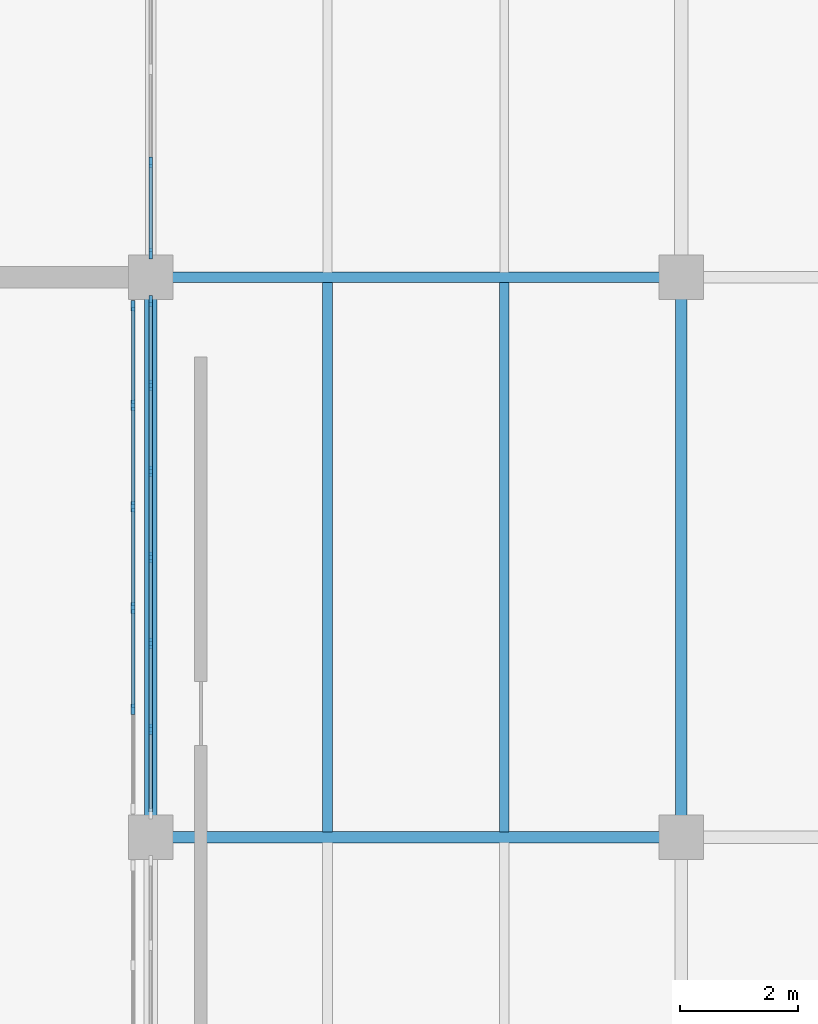
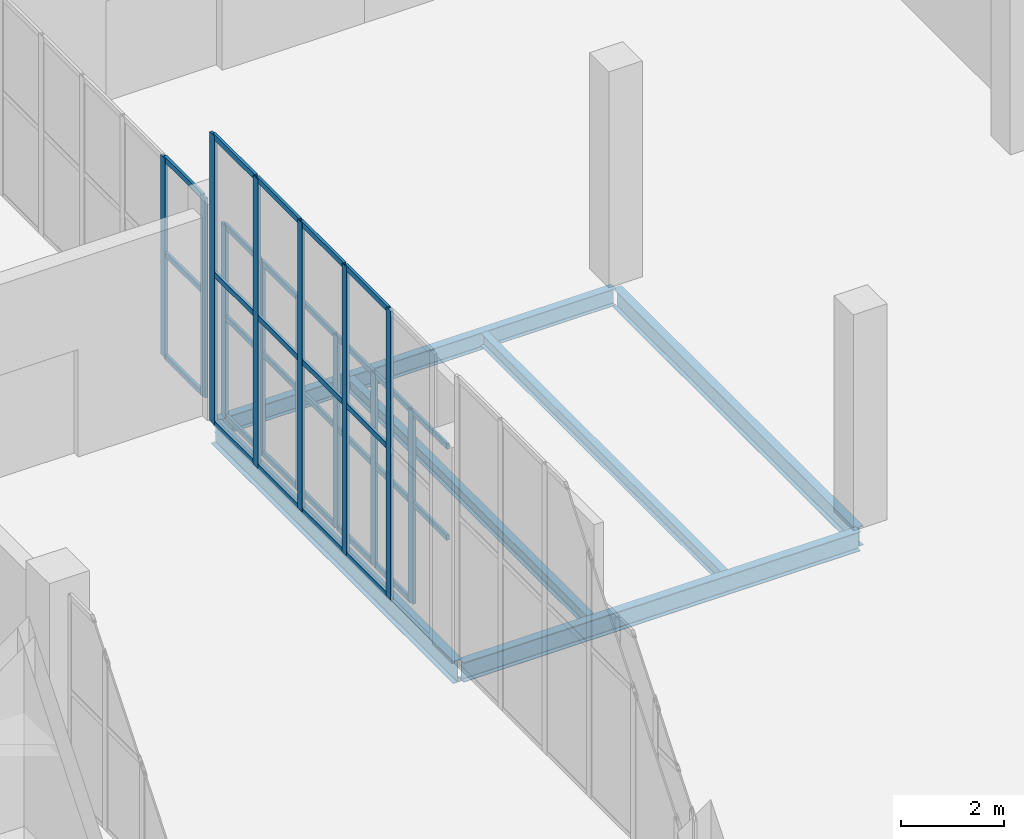
# One storey, part 54 of 103: 45 members, 6 beams, 3 elements without a shape of their own.
"""IFC4 building model written with IfcOpenShell, lengths in metres."""

from ifc_helpers import new_model, si_unit, direction, frame, origin, origin_2d, place, context, subcontext, project, spatial, rectangle, i_section, extrude, material, layer, layer_set, material_profile, profile_set, type_object, element, aggregate, save


model = new_model("IFC4")

# Units and contexts
model_context = context("Model", 3, precision=1e-05, world=origin(), true_north=direction((0.0, 1.0)))
body_context = subcontext(model_context, "Body", "Model", "MODEL_VIEW")
ifc_project = project(units=[si_unit("LENGTHUNIT", "METRE"), si_unit("AREAUNIT", "SQUARE_METRE"), si_unit("VOLUMEUNIT", "CUBIC_METRE"), si_unit("PLANEANGLEUNIT", "RADIAN"), si_unit("MASSUNIT", "GRAM", prefix="KILO")], contexts=[model_context])

# Site, building, storey
site_placement = place(None, origin())
site = spatial("IfcSite", under=ifc_project, at=site_placement, CompositionType="ELEMENT")
building_placement = place(site_placement, origin())
building = spatial("IfcBuilding", under=site, at=building_placement, Name="Marnock Terrace Opera House", CompositionType="ELEMENT")
storey_placement = place(building_placement, origin())
storey = spatial("IfcBuildingStorey", under=building, at=storey_placement, Name="L00", CompositionType="ELEMENT", Elevation=0.0)

# Beams
ifc_material_1 = material(Name="Steel Grade 350 (AS/NZS 3679.1)", Category="steel")
ifc_material_profile_1 = material_profile(ifc_material_1, i_section(OverallWidth=0.177978515625, OverallDepth=0.402587890625, WebThickness=0.007568359375, FlangeThickness=0.010986328125, FilletRadius=0.011474609375, at=origin_2d()))
ifc_profile_set_1 = profile_set([ifc_material_profile_1], Name="Steel Grade 350 (AS/NZS 3679.1)")
beam_type_1 = type_object("IfcBeamType", Name="BM-GIRD-410", PredefinedType="BEAM", material=ifc_profile_set_1)
beam_1_placement = place(storey_placement, frame((118.050048828125, 94.0, -0.501220703125), z_axis=(1.0, 0.0, 0.0), x_axis=(0.0, 1.0, 0.0)))
element("IfcBeam", 1, at=beam_1_placement, inside=storey, type_object=beam_type_1, Name="L00 girder (118.0..127.0, Y=94.0)", PredefinedType="BEAM", context=body_context, shape_type="SweptSolid", body=[
    extrude(i_section(OverallWidth=0.177978515625, OverallDepth=0.402587890625, WebThickness=0.007568359375, FlangeThickness=0.010986328125, FilletRadius=0.011474609375, at=origin_2d()), origin(), (0.0, 0.0, 1.0), 8.89990234375),
])
ifc_material_profile_2 = material_profile(ifc_material_1, i_section(OverallWidth=0.19091796875, OverallDepth=0.46044921875, WebThickness=0.010009765625, FlangeThickness=0.01611328125, FilletRadius=0.011474609375, at=origin_2d()))
ifc_profile_set_2 = profile_set([ifc_material_profile_2], Name="Steel Grade 350 (AS/NZS 3679.1)")
beam_type_2 = type_object("IfcBeamType", Name="BM-GIRD-460A", PredefinedType="BEAM", material=ifc_profile_set_2)
beam_2_placement = place(storey_placement, frame((118.050048828125, 84.5, -0.5302734375), z_axis=(1.0, 0.0, 0.0), x_axis=(0.0, 1.0, 0.0)))
element("IfcBeam", 2, at=beam_2_placement, inside=storey, type_object=beam_type_2, Name="L00 girder (118.0..127.0, Y=84.5)", PredefinedType="BEAM", context=body_context, shape_type="SweptSolid", body=[
    extrude(i_section(OverallWidth=0.19091796875, OverallDepth=0.46044921875, WebThickness=0.010009765625, FlangeThickness=0.01611328125, FilletRadius=0.011474609375, at=origin_2d()), origin(), (0.0, 0.0, 1.0), 8.89990234375),
])
ifc_material_profile_3 = material_profile(ifc_material_1, i_section(OverallWidth=0.18994140625, OverallDepth=0.45751953125, WebThickness=0.009033203125, FlangeThickness=0.014404296875, FilletRadius=0.011474609375, at=origin_2d()))
ifc_profile_set_3 = profile_set([ifc_material_profile_3], Name="Steel Grade 350 (AS/NZS 3679.1)")
beam_type_3 = type_object("IfcBeamType", Name="BM-GIRD-460B", PredefinedType="BEAM", material=ifc_profile_set_3)
beam_3_placement = place(storey_placement, frame((127.0, 84.550048828125, -0.52880859375), z_axis=(0.0, 1.0, 0.0), x_axis=(-1.0, 0.0, 0.0)))
element("IfcBeam", 3, at=beam_3_placement, inside=storey, type_object=beam_type_3, Name="L00 girder (X=127.0, 84.5..94.0)", PredefinedType="BEAM", context=body_context, shape_type="SweptSolid", body=[
    extrude(i_section(OverallWidth=0.18994140625, OverallDepth=0.45751953125, WebThickness=0.009033203125, FlangeThickness=0.014404296875, FilletRadius=0.011474609375, at=origin_2d()), origin(), (0.0, 0.0, 1.0), 9.39990234375),
])
ifc_material_profile_4 = material_profile(ifc_material_1, i_section(OverallWidth=0.208984375, OverallDepth=0.528076171875, WebThickness=0.009521484375, FlangeThickness=0.01318359375, FilletRadius=0.013916015625, at=origin_2d()))
ifc_profile_set_4 = profile_set([ifc_material_profile_4], Name="Steel Grade 350 (AS/NZS 3679.1)")
beam_type_4 = type_object("IfcBeamType", Name="BM-GIRD-530B", PredefinedType="BEAM", material=ifc_profile_set_4)
beam_4_placement = place(storey_placement, frame((118.0, 84.550048828125, -0.56396484375), z_axis=(0.0, 1.0, 0.0), x_axis=(-1.0, 0.0, 0.0)))
element("IfcBeam", 4, at=beam_4_placement, inside=storey, type_object=beam_type_4, Name="L00 girder (X=118.0, 84.5..94.0)", PredefinedType="BEAM", context=body_context, shape_type="SweptSolid", body=[
    extrude(i_section(OverallWidth=0.208984375, OverallDepth=0.528076171875, WebThickness=0.009521484375, FlangeThickness=0.01318359375, FilletRadius=0.013916015625, at=origin_2d()), origin(), (0.0, 0.0, 1.0), 9.39990234375),
])
ifc_material_profile_5 = material_profile(ifc_material_1, i_section(OverallWidth=0.1650390625, OverallDepth=0.3037109375, WebThickness=0.006103515625, FlangeThickness=0.01025390625, FilletRadius=0.011474609375, at=origin_2d()))
ifc_profile_set_5 = profile_set([ifc_material_profile_5], Name="Steel Grade 350 (AS/NZS 3679.1)")
beam_type_5 = type_object("IfcBeamType", Name="BM-JOIST-310B", PredefinedType="JOIST", material=ifc_profile_set_5)
for number, where, z_axis, x_axis, name in (
    (5, (121.0, 84.590576171875, -0.451904296875), (0.0, 1.0, 0.0), (-1.0, 0.0, 0.0), "L00 secondary joist 13.10.1"),
    (6, (124.0, 84.590576171875, -0.451904296875), (0.0, 1.0, 0.0), (-1.0, 0.0, 0.0), "L00 secondary joist 13.10.2"),
):
    element("IfcBeam", number, at=place(storey_placement, frame(where, z_axis=z_axis, x_axis=x_axis)), inside=storey, type_object=beam_type_5, Name=name, PredefinedType="JOIST", context=body_context, shape_type="SweptSolid", body=[
        extrude(i_section(OverallWidth=0.1650390625, OverallDepth=0.3037109375, WebThickness=0.006103515625, FlangeThickness=0.01025390625, FilletRadius=0.011474609375, at=origin_2d()), origin(), (0.0, 0.0, 1.0), 9.325439453125),
    ])

# Curtain wall, members
ifc_material_2 = material(Name="Anodised architectural bronze aluminium framing", Category="aluminium")
ifc_layer_1 = layer(ifc_material_2, 0.159912109375)
ifc_layer_set_1 = layer_set([ifc_layer_1], Name="Anodised architectural bronze aluminium framing")
curtain_wall_type_1 = type_object("IfcCurtainWallType", Name="CW-FOYER-95x51", PredefinedType="NOTDEFINED", material=ifc_layer_set_1)
curtain_wall_1_placement = place(storey_placement, origin())
curtain_wall_1 = element("IfcCurtainWall", 7, at=curtain_wall_1_placement, inside=storey, type_object=curtain_wall_type_1, Name="L00 glazed Beaux-Arts colonnade curtain wall CW-V5-L00-W7", PredefinedType="NOTDEFINED")
ifc_material_profile_6 = material_profile(ifc_material_2, rectangle(XDim=0.06494140625, YDim=0.179931640625, at=origin_2d()))
ifc_profile_set_6 = profile_set([ifc_material_profile_6], Name="Anodised architectural bronze aluminium framing")
member_type_1 = type_object("IfcMemberType", Name="CWM-65x180", PredefinedType="MULLION", material=ifc_profile_set_6)
member_1_placement = place(storey_placement, frame((118.0, 86.33056640625, 0.0), z_axis=(0.0, 0.0, 1.0), x_axis=(-1.0, 0.0, 0.0)))
member_1 = element("IfcMember", 8, at=member_1_placement, type_object=member_type_1, Name="CW-24 mullion 2", PredefinedType="MULLION", context=body_context, shape_type="SweptSolid", body=[
    extrude(rectangle(XDim=0.06494140625, YDim=0.179931640625, at=origin_2d()), origin(), (0.0, 0.0, 1.0), 4.56201171875),
])
member_2_placement = place(storey_placement, frame((118.0, 87.790283203125, 0.0), z_axis=(0.0, 0.0, 1.0), x_axis=(-1.0, 0.0, 0.0)))
member_2 = element("IfcMember", 9, at=member_2_placement, type_object=member_type_1, Name="CW-24 mullion 3", PredefinedType="MULLION", context=body_context, shape_type="SweptSolid", body=[
    extrude(rectangle(XDim=0.06494140625, YDim=0.179931640625, at=origin_2d()), origin(), (0.0, 0.0, 1.0), 4.56201171875),
])
member_3_placement = place(storey_placement, frame((118.0, 89.25, 0.0), z_axis=(0.0, 0.0, 1.0), x_axis=(-1.0, 0.0, 0.0)))
member_3 = element("IfcMember", 10, at=member_3_placement, type_object=member_type_1, Name="CW-24 mullion 4", PredefinedType="MULLION", context=body_context, shape_type="SweptSolid", body=[
    extrude(rectangle(XDim=0.06494140625, YDim=0.179931640625, at=origin_2d()), origin(), (0.0, 0.0, 1.0), 4.56201171875),
])
member_4_placement = place(storey_placement, frame((118.0, 90.709716796875, 0.0), z_axis=(0.0, 0.0, 1.0), x_axis=(-1.0, 0.0, 0.0)))
member_4 = element("IfcMember", 11, at=member_4_placement, type_object=member_type_1, Name="CW-24 mullion 5", PredefinedType="MULLION", context=body_context, shape_type="SweptSolid", body=[
    extrude(rectangle(XDim=0.06494140625, YDim=0.179931640625, at=origin_2d()), origin(), (0.0, 0.0, 1.0), 4.56201171875),
])
member_5_placement = place(storey_placement, frame((118.0, 92.16943359375, 0.0), z_axis=(0.0, 0.0, 1.0), x_axis=(-1.0, 0.0, 0.0)))
member_5 = element("IfcMember", 12, at=member_5_placement, type_object=member_type_1, Name="CW-24 mullion 6", PredefinedType="MULLION", context=body_context, shape_type="SweptSolid", body=[
    extrude(rectangle(XDim=0.06494140625, YDim=0.179931640625, at=origin_2d()), origin(), (0.0, 0.0, 1.0), 4.56201171875),
])
member_6_placement = place(storey_placement, frame((118.0, 93.59912109375, 0.0), z_axis=(0.0, 0.0, 1.0), x_axis=(-1.0, 0.0, 0.0)))
member_6 = element("IfcMember", 13, at=member_6_placement, type_object=member_type_1, Name="CW-24 mullion 7", PredefinedType="MULLION", context=body_context, shape_type="SweptSolid", body=[
    extrude(rectangle(XDim=0.06494140625, YDim=0.179931640625, at=origin_2d()), origin(), (0.0, 0.0, 1.0), 4.56201171875),
])

curtain_wall_2_placement = place(storey_placement, origin())
curtain_wall_2 = element("IfcCurtainWall", 14, at=curtain_wall_2_placement, inside=storey, type_object=curtain_wall_type_1, Name="L00 glazed Beaux-Arts colonnade curtain wall CW-V5-L00-W8", PredefinedType="NOTDEFINED")
member_7_placement = place(storey_placement, frame((118.0, 94.40087890625, 0.0), z_axis=(0.0, 0.0, 1.0), x_axis=(-1.0, 0.0, 0.0)))
member_7 = element("IfcMember", 15, at=member_7_placement, type_object=member_type_1, Name="CW-24 mullion 1", PredefinedType="MULLION", context=body_context, shape_type="SweptSolid", body=[
    extrude(rectangle(XDim=0.06494140625, YDim=0.179931640625, at=origin_2d()), origin(), (0.0, 0.0, 1.0), 4.734375),
])
member_8_placement = place(storey_placement, frame((118.0, 95.94921875, 0.0), z_axis=(0.0, 0.0, 1.0), x_axis=(-1.0, 0.0, 0.0)))
member_8 = element("IfcMember", 16, at=member_8_placement, type_object=member_type_1, Name="CW-24 mullion 2", PredefinedType="MULLION", context=body_context, shape_type="SweptSolid", body=[
    extrude(rectangle(XDim=0.06494140625, YDim=0.179931640625, at=origin_2d()), origin(), (0.0, 0.0, 1.0), 4.734375),
])

ifc_layer_2 = layer(ifc_material_2, 0.159912109375)
ifc_layer_set_2 = layer_set([ifc_layer_2], Name="Anodised architectural bronze aluminium framing")
curtain_wall_type_2 = type_object("IfcCurtainWallType", Name="CW-PASSAGE-81x68", PredefinedType="NOTDEFINED", material=ifc_layer_set_2)
curtain_wall_3_placement = place(storey_placement, origin())
curtain_wall_3 = element("IfcCurtainWall", 17, at=curtain_wall_3_placement, inside=storey, type_object=curtain_wall_type_2, Name="L00 glazed Beaux-Arts colonnade curtain wall CW-PASSAGE-L00-10", PredefinedType="NOTDEFINED")
member_9_placement = place(storey_placement, frame((117.699951171875, 86.669921875, 0.0), z_axis=(0.0, 0.0, 1.0), x_axis=(-1.0, 0.0, 0.0)))
member_9 = element("IfcMember", 18, at=member_9_placement, type_object=member_type_1, Name="CW-65 mullion 2", PredefinedType="MULLION", context=body_context, shape_type="SweptSolid", body=[
    extrude(rectangle(XDim=0.06494140625, YDim=0.179931640625, at=origin_2d()), origin(), (0.0, 0.0, 1.0), 6.85009765625),
])
member_10_placement = place(storey_placement, frame((117.699951171875, 88.389892578125, 0.0), z_axis=(0.0, 0.0, 1.0), x_axis=(-1.0, 0.0, 0.0)))
member_10 = element("IfcMember", 19, at=member_10_placement, type_object=member_type_1, Name="CW-65 mullion 3", PredefinedType="MULLION", context=body_context, shape_type="SweptSolid", body=[
    extrude(rectangle(XDim=0.06494140625, YDim=0.179931640625, at=origin_2d()), origin(), (0.0, 0.0, 1.0), 6.85009765625),
])
member_11_placement = place(storey_placement, frame((117.699951171875, 90.110107421875, 0.0), z_axis=(0.0, 0.0, 1.0), x_axis=(-1.0, 0.0, 0.0)))
member_11 = element("IfcMember", 20, at=member_11_placement, type_object=member_type_1, Name="CW-65 mullion 4", PredefinedType="MULLION", context=body_context, shape_type="SweptSolid", body=[
    extrude(rectangle(XDim=0.06494140625, YDim=0.179931640625, at=origin_2d()), origin(), (0.0, 0.0, 1.0), 6.85009765625),
])
member_12_placement = place(storey_placement, frame((117.699951171875, 91.830078125, 0.0), z_axis=(0.0, 0.0, 1.0), x_axis=(-1.0, 0.0, 0.0)))
member_12 = element("IfcMember", 21, at=member_12_placement, type_object=member_type_1, Name="CW-65 mullion 5", PredefinedType="MULLION", context=body_context, shape_type="SweptSolid", body=[
    extrude(rectangle(XDim=0.06494140625, YDim=0.179931640625, at=origin_2d()), origin(), (0.0, 0.0, 1.0), 6.85009765625),
])
member_13_placement = place(storey_placement, frame((117.699951171875, 93.52001953125, 0.0), z_axis=(0.0, 0.0, 1.0), x_axis=(-1.0, 0.0, 0.0)))
member_13 = element("IfcMember", 22, at=member_13_placement, type_object=member_type_1, Name="CW-65 mullion 6", PredefinedType="MULLION", context=body_context, shape_type="SweptSolid", body=[
    extrude(rectangle(XDim=0.06494140625, YDim=0.179931640625, at=origin_2d()), origin(), (0.0, 0.0, 1.0), 6.85009765625),
])

# Member
ifc_material_profile_7 = material_profile(ifc_material_2, rectangle(XDim=0.06005859375, YDim=0.1298828125, at=origin_2d()))
ifc_profile_set_7 = profile_set([ifc_material_profile_7], Name="Anodised architectural bronze aluminium framing")
member_type_2 = type_object("IfcMemberType", Name="CWT-60x130", PredefinedType="USERDEFINED", material=ifc_profile_set_7)
member_14_placement = place(storey_placement, frame((118.0, 84.930908203125, 2.372314453125), z_axis=(0.0, 1.0, 0.0), x_axis=(-1.0, 0.0, 0.0)))
member_14 = element("IfcMember", 23, at=member_14_placement, type_object=member_type_2, Name="CW-24 transom 1.2", ObjectType="TRANSOM", PredefinedType="USERDEFINED", context=body_context, shape_type="SweptSolid", body=[
    extrude(rectangle(XDim=0.06005859375, YDim=0.1298828125, at=origin_2d()), origin(), (0.0, 0.0, 1.0), 1.369873046875),
])

member_15_placement = place(storey_placement, frame((118.0, 84.930908203125, 4.531982421875), z_axis=(0.0, 1.0, 0.0), x_axis=(-1.0, 0.0, 0.0)))
member_15 = element("IfcMember", 24, at=member_15_placement, type_object=member_type_2, Name="CW-24 transom 1.3", ObjectType="TRANSOM", PredefinedType="USERDEFINED", context=body_context, shape_type="SweptSolid", body=[
    extrude(rectangle(XDim=0.06005859375, YDim=0.1298828125, at=origin_2d()), origin(), (0.0, 0.0, 1.0), 1.369873046875),
])

member_16_placement = place(storey_placement, frame((118.0, 86.360595703125, 0.030029296875), z_axis=(0.0, 1.0, 0.0), x_axis=(-1.0, 0.0, 0.0)))
member_16 = element("IfcMember", 25, at=member_16_placement, type_object=member_type_2, Name="CW-24 transom 2.1", ObjectType="TRANSOM", PredefinedType="USERDEFINED", context=body_context, shape_type="SweptSolid", body=[
    extrude(rectangle(XDim=0.06005859375, YDim=0.1298828125, at=origin_2d()), origin(), (0.0, 0.0, 1.0), 1.399658203125),
])

member_17_placement = place(storey_placement, frame((118.0, 86.360595703125, 2.372314453125), z_axis=(0.0, 1.0, 0.0), x_axis=(-1.0, 0.0, 0.0)))
member_17 = element("IfcMember", 26, at=member_17_placement, type_object=member_type_2, Name="CW-24 transom 2.2", ObjectType="TRANSOM", PredefinedType="USERDEFINED", context=body_context, shape_type="SweptSolid", body=[
    extrude(rectangle(XDim=0.06005859375, YDim=0.1298828125, at=origin_2d()), origin(), (0.0, 0.0, 1.0), 1.399658203125),
])

member_18_placement = place(storey_placement, frame((118.0, 86.360595703125, 4.531982421875), z_axis=(0.0, 1.0, 0.0), x_axis=(-1.0, 0.0, 0.0)))
member_18 = element("IfcMember", 27, at=member_18_placement, type_object=member_type_2, Name="CW-24 transom 2.3", ObjectType="TRANSOM", PredefinedType="USERDEFINED", context=body_context, shape_type="SweptSolid", body=[
    extrude(rectangle(XDim=0.06005859375, YDim=0.1298828125, at=origin_2d()), origin(), (0.0, 0.0, 1.0), 1.399658203125),
])

member_19_placement = place(storey_placement, frame((118.0, 87.8203125, 0.030029296875), z_axis=(0.0, 1.0, 0.0), x_axis=(-1.0, 0.0, 0.0)))
member_19 = element("IfcMember", 28, at=member_19_placement, type_object=member_type_2, Name="CW-24 transom 3.1", ObjectType="TRANSOM", PredefinedType="USERDEFINED", context=body_context, shape_type="SweptSolid", body=[
    extrude(rectangle(XDim=0.06005859375, YDim=0.1298828125, at=origin_2d()), origin(), (0.0, 0.0, 1.0), 1.399658203125),
])

member_20_placement = place(storey_placement, frame((118.0, 87.8203125, 2.372314453125), z_axis=(0.0, 1.0, 0.0), x_axis=(-1.0, 0.0, 0.0)))
member_20 = element("IfcMember", 29, at=member_20_placement, type_object=member_type_2, Name="CW-24 transom 3.2", ObjectType="TRANSOM", PredefinedType="USERDEFINED", context=body_context, shape_type="SweptSolid", body=[
    extrude(rectangle(XDim=0.06005859375, YDim=0.1298828125, at=origin_2d()), origin(), (0.0, 0.0, 1.0), 1.399658203125),
])

member_21_placement = place(storey_placement, frame((118.0, 87.8203125, 4.531982421875), z_axis=(0.0, 1.0, 0.0), x_axis=(-1.0, 0.0, 0.0)))
member_21 = element("IfcMember", 30, at=member_21_placement, type_object=member_type_2, Name="CW-24 transom 3.3", ObjectType="TRANSOM", PredefinedType="USERDEFINED", context=body_context, shape_type="SweptSolid", body=[
    extrude(rectangle(XDim=0.06005859375, YDim=0.1298828125, at=origin_2d()), origin(), (0.0, 0.0, 1.0), 1.399658203125),
])

member_22_placement = place(storey_placement, frame((118.0, 89.280029296875, 0.030029296875), z_axis=(0.0, 1.0, 0.0), x_axis=(-1.0, 0.0, 0.0)))
member_22 = element("IfcMember", 31, at=member_22_placement, type_object=member_type_2, Name="CW-24 transom 4.1", ObjectType="TRANSOM", PredefinedType="USERDEFINED", context=body_context, shape_type="SweptSolid", body=[
    extrude(rectangle(XDim=0.06005859375, YDim=0.1298828125, at=origin_2d()), origin(), (0.0, 0.0, 1.0), 1.399658203125),
])

member_23_placement = place(storey_placement, frame((118.0, 89.280029296875, 2.372314453125), z_axis=(0.0, 1.0, 0.0), x_axis=(-1.0, 0.0, 0.0)))
member_23 = element("IfcMember", 32, at=member_23_placement, type_object=member_type_2, Name="CW-24 transom 4.2", ObjectType="TRANSOM", PredefinedType="USERDEFINED", context=body_context, shape_type="SweptSolid", body=[
    extrude(rectangle(XDim=0.06005859375, YDim=0.1298828125, at=origin_2d()), origin(), (0.0, 0.0, 1.0), 1.399658203125),
])

member_24_placement = place(storey_placement, frame((118.0, 89.280029296875, 4.531982421875), z_axis=(0.0, 1.0, 0.0), x_axis=(-1.0, 0.0, 0.0)))
member_24 = element("IfcMember", 33, at=member_24_placement, type_object=member_type_2, Name="CW-24 transom 4.3", ObjectType="TRANSOM", PredefinedType="USERDEFINED", context=body_context, shape_type="SweptSolid", body=[
    extrude(rectangle(XDim=0.06005859375, YDim=0.1298828125, at=origin_2d()), origin(), (0.0, 0.0, 1.0), 1.399658203125),
])

member_25_placement = place(storey_placement, frame((118.0, 90.73974609375, 0.030029296875), z_axis=(0.0, 1.0, 0.0), x_axis=(-1.0, 0.0, 0.0)))
member_25 = element("IfcMember", 34, at=member_25_placement, type_object=member_type_2, Name="CW-24 transom 5.1", ObjectType="TRANSOM", PredefinedType="USERDEFINED", context=body_context, shape_type="SweptSolid", body=[
    extrude(rectangle(XDim=0.06005859375, YDim=0.1298828125, at=origin_2d()), origin(), (0.0, 0.0, 1.0), 1.399658203125),
])

member_26_placement = place(storey_placement, frame((118.0, 90.73974609375, 2.372314453125), z_axis=(0.0, 1.0, 0.0), x_axis=(-1.0, 0.0, 0.0)))
member_26 = element("IfcMember", 35, at=member_26_placement, type_object=member_type_2, Name="CW-24 transom 5.2", ObjectType="TRANSOM", PredefinedType="USERDEFINED", context=body_context, shape_type="SweptSolid", body=[
    extrude(rectangle(XDim=0.06005859375, YDim=0.1298828125, at=origin_2d()), origin(), (0.0, 0.0, 1.0), 1.399658203125),
])

member_27_placement = place(storey_placement, frame((118.0, 90.73974609375, 4.531982421875), z_axis=(0.0, 1.0, 0.0), x_axis=(-1.0, 0.0, 0.0)))
member_27 = element("IfcMember", 36, at=member_27_placement, type_object=member_type_2, Name="CW-24 transom 5.3", ObjectType="TRANSOM", PredefinedType="USERDEFINED", context=body_context, shape_type="SweptSolid", body=[
    extrude(rectangle(XDim=0.06005859375, YDim=0.1298828125, at=origin_2d()), origin(), (0.0, 0.0, 1.0), 1.399658203125),
])

member_28_placement = place(storey_placement, frame((118.0, 92.19921875, 0.030029296875), z_axis=(0.0, 1.0, 0.0), x_axis=(-1.0, 0.0, 0.0)))
member_28 = element("IfcMember", 37, at=member_28_placement, type_object=member_type_2, Name="CW-24 transom 6.1", ObjectType="TRANSOM", PredefinedType="USERDEFINED", context=body_context, shape_type="SweptSolid", body=[
    extrude(rectangle(XDim=0.06005859375, YDim=0.1298828125, at=origin_2d()), origin(), (0.0, 0.0, 1.0), 1.369873046875),
])

member_29_placement = place(storey_placement, frame((118.0, 92.19921875, 2.372314453125), z_axis=(0.0, 1.0, 0.0), x_axis=(-1.0, 0.0, 0.0)))
member_29 = element("IfcMember", 38, at=member_29_placement, type_object=member_type_2, Name="CW-24 transom 6.2", ObjectType="TRANSOM", PredefinedType="USERDEFINED", context=body_context, shape_type="SweptSolid", body=[
    extrude(rectangle(XDim=0.06005859375, YDim=0.1298828125, at=origin_2d()), origin(), (0.0, 0.0, 1.0), 1.369873046875),
])

member_30_placement = place(storey_placement, frame((118.0, 92.19921875, 4.531982421875), z_axis=(0.0, 1.0, 0.0), x_axis=(-1.0, 0.0, 0.0)))
member_30 = element("IfcMember", 39, at=member_30_placement, type_object=member_type_2, Name="CW-24 transom 6.3", ObjectType="TRANSOM", PredefinedType="USERDEFINED", context=body_context, shape_type="SweptSolid", body=[
    extrude(rectangle(XDim=0.06005859375, YDim=0.1298828125, at=origin_2d()), origin(), (0.0, 0.0, 1.0), 1.369873046875),
])

aggregate(curtain_wall_1, [member_1, member_2, member_3, member_4, member_5, member_6, member_14, member_15, member_16, member_17, member_18, member_19, member_20, member_21, member_22, member_23, member_24, member_25, member_26, member_27, member_28, member_29, member_30])

member_31_placement = place(storey_placement, frame((118.0, 94.430908203125, 0.030029296875), z_axis=(0.0, 1.0, 0.0), x_axis=(-1.0, 0.0, 0.0)))
member_31 = element("IfcMember", 40, at=member_31_placement, type_object=member_type_2, Name="CW-24 transom 1.1", ObjectType="TRANSOM", PredefinedType="USERDEFINED", context=body_context, shape_type="SweptSolid", body=[
    extrude(rectangle(XDim=0.06005859375, YDim=0.1298828125, at=origin_2d()), origin(), (0.0, 0.0, 1.0), 1.48828125),
])

member_32_placement = place(storey_placement, frame((118.0, 94.430908203125, 2.4619140625), z_axis=(0.0, 1.0, 0.0), x_axis=(-1.0, 0.0, 0.0)))
member_32 = element("IfcMember", 41, at=member_32_placement, type_object=member_type_2, Name="CW-24 transom 1.2", ObjectType="TRANSOM", PredefinedType="USERDEFINED", context=body_context, shape_type="SweptSolid", body=[
    extrude(rectangle(XDim=0.06005859375, YDim=0.1298828125, at=origin_2d()), origin(), (0.0, 0.0, 1.0), 1.48828125),
])

member_33_placement = place(storey_placement, frame((118.0, 94.430908203125, 4.704345703125), z_axis=(0.0, 1.0, 0.0), x_axis=(-1.0, 0.0, 0.0)))
member_33 = element("IfcMember", 42, at=member_33_placement, type_object=member_type_2, Name="CW-24 transom 1.3", ObjectType="TRANSOM", PredefinedType="USERDEFINED", context=body_context, shape_type="SweptSolid", body=[
    extrude(rectangle(XDim=0.06005859375, YDim=0.1298828125, at=origin_2d()), origin(), (0.0, 0.0, 1.0), 1.48828125),
])

aggregate(curtain_wall_2, [member_7, member_8, member_31, member_32, member_33])

member_34_placement = place(storey_placement, frame((117.699951171875, 86.699951171875, 0.030029296875), z_axis=(0.0, 1.0, 0.0), x_axis=(-1.0, 0.0, 0.0)))
member_34 = element("IfcMember", 43, at=member_34_placement, type_object=member_type_2, Name="CW-65 transom 2.1", ObjectType="TRANSOM", PredefinedType="USERDEFINED", context=body_context, shape_type="SweptSolid", body=[
    extrude(rectangle(XDim=0.06005859375, YDim=0.1298828125, at=origin_2d()), origin(), (0.0, 0.0, 1.0), 1.66015625),
])

member_35_placement = place(storey_placement, frame((117.699951171875, 86.699951171875, 3.56201171875), z_axis=(0.0, 1.0, 0.0), x_axis=(-1.0, 0.0, 0.0)))
member_35 = element("IfcMember", 44, at=member_35_placement, type_object=member_type_2, Name="CW-65 transom 2.2", ObjectType="TRANSOM", PredefinedType="USERDEFINED", context=body_context, shape_type="SweptSolid", body=[
    extrude(rectangle(XDim=0.06005859375, YDim=0.1298828125, at=origin_2d()), origin(), (0.0, 0.0, 1.0), 1.66015625),
])

member_36_placement = place(storey_placement, frame((117.699951171875, 86.699951171875, 6.820068359375), z_axis=(0.0, 1.0, 0.0), x_axis=(-1.0, 0.0, 0.0)))
member_36 = element("IfcMember", 45, at=member_36_placement, type_object=member_type_2, Name="CW-65 transom 2.3", ObjectType="TRANSOM", PredefinedType="USERDEFINED", context=body_context, shape_type="SweptSolid", body=[
    extrude(rectangle(XDim=0.06005859375, YDim=0.1298828125, at=origin_2d()), origin(), (0.0, 0.0, 1.0), 1.66015625),
])

member_37_placement = place(storey_placement, frame((117.699951171875, 88.419921875, 0.030029296875), z_axis=(0.0, 1.0, 0.0), x_axis=(-1.0, 0.0, 0.0)))
member_37 = element("IfcMember", 46, at=member_37_placement, type_object=member_type_2, Name="CW-65 transom 3.1", ObjectType="TRANSOM", PredefinedType="USERDEFINED", context=body_context, shape_type="SweptSolid", body=[
    extrude(rectangle(XDim=0.06005859375, YDim=0.1298828125, at=origin_2d()), origin(), (0.0, 0.0, 1.0), 1.66015625),
])

member_38_placement = place(storey_placement, frame((117.699951171875, 88.419921875, 3.56201171875), z_axis=(0.0, 1.0, 0.0), x_axis=(-1.0, 0.0, 0.0)))
member_38 = element("IfcMember", 47, at=member_38_placement, type_object=member_type_2, Name="CW-65 transom 3.2", ObjectType="TRANSOM", PredefinedType="USERDEFINED", context=body_context, shape_type="SweptSolid", body=[
    extrude(rectangle(XDim=0.06005859375, YDim=0.1298828125, at=origin_2d()), origin(), (0.0, 0.0, 1.0), 1.66015625),
])

member_39_placement = place(storey_placement, frame((117.699951171875, 88.419921875, 6.820068359375), z_axis=(0.0, 1.0, 0.0), x_axis=(-1.0, 0.0, 0.0)))
member_39 = element("IfcMember", 48, at=member_39_placement, type_object=member_type_2, Name="CW-65 transom 3.3", ObjectType="TRANSOM", PredefinedType="USERDEFINED", context=body_context, shape_type="SweptSolid", body=[
    extrude(rectangle(XDim=0.06005859375, YDim=0.1298828125, at=origin_2d()), origin(), (0.0, 0.0, 1.0), 1.66015625),
])

member_40_placement = place(storey_placement, frame((117.699951171875, 90.139892578125, 0.030029296875), z_axis=(0.0, 1.0, 0.0), x_axis=(-1.0, 0.0, 0.0)))
member_40 = element("IfcMember", 49, at=member_40_placement, type_object=member_type_2, Name="CW-65 transom 4.1", ObjectType="TRANSOM", PredefinedType="USERDEFINED", context=body_context, shape_type="SweptSolid", body=[
    extrude(rectangle(XDim=0.06005859375, YDim=0.1298828125, at=origin_2d()), origin(), (0.0, 0.0, 1.0), 1.66015625),
])

member_41_placement = place(storey_placement, frame((117.699951171875, 90.139892578125, 3.56201171875), z_axis=(0.0, 1.0, 0.0), x_axis=(-1.0, 0.0, 0.0)))
member_41 = element("IfcMember", 50, at=member_41_placement, type_object=member_type_2, Name="CW-65 transom 4.2", ObjectType="TRANSOM", PredefinedType="USERDEFINED", context=body_context, shape_type="SweptSolid", body=[
    extrude(rectangle(XDim=0.06005859375, YDim=0.1298828125, at=origin_2d()), origin(), (0.0, 0.0, 1.0), 1.66015625),
])

member_42_placement = place(storey_placement, frame((117.699951171875, 90.139892578125, 6.820068359375), z_axis=(0.0, 1.0, 0.0), x_axis=(-1.0, 0.0, 0.0)))
member_42 = element("IfcMember", 51, at=member_42_placement, type_object=member_type_2, Name="CW-65 transom 4.3", ObjectType="TRANSOM", PredefinedType="USERDEFINED", context=body_context, shape_type="SweptSolid", body=[
    extrude(rectangle(XDim=0.06005859375, YDim=0.1298828125, at=origin_2d()), origin(), (0.0, 0.0, 1.0), 1.66015625),
])

member_43_placement = place(storey_placement, frame((117.699951171875, 91.860107421875, 0.030029296875), z_axis=(0.0, 1.0, 0.0), x_axis=(-1.0, 0.0, 0.0)))
member_43 = element("IfcMember", 52, at=member_43_placement, type_object=member_type_2, Name="CW-65 transom 5.1", ObjectType="TRANSOM", PredefinedType="USERDEFINED", context=body_context, shape_type="SweptSolid", body=[
    extrude(rectangle(XDim=0.06005859375, YDim=0.1298828125, at=origin_2d()), origin(), (0.0, 0.0, 1.0), 1.6298828125),
])

member_44_placement = place(storey_placement, frame((117.699951171875, 91.860107421875, 3.56201171875), z_axis=(0.0, 1.0, 0.0), x_axis=(-1.0, 0.0, 0.0)))
member_44 = element("IfcMember", 53, at=member_44_placement, type_object=member_type_2, Name="CW-65 transom 5.2", ObjectType="TRANSOM", PredefinedType="USERDEFINED", context=body_context, shape_type="SweptSolid", body=[
    extrude(rectangle(XDim=0.06005859375, YDim=0.1298828125, at=origin_2d()), origin(), (0.0, 0.0, 1.0), 1.6298828125),
])

member_45_placement = place(storey_placement, frame((117.699951171875, 91.860107421875, 6.820068359375), z_axis=(0.0, 1.0, 0.0), x_axis=(-1.0, 0.0, 0.0)))
member_45 = element("IfcMember", 54, at=member_45_placement, type_object=member_type_2, Name="CW-65 transom 5.3", ObjectType="TRANSOM", PredefinedType="USERDEFINED", context=body_context, shape_type="SweptSolid", body=[
    extrude(rectangle(XDim=0.06005859375, YDim=0.1298828125, at=origin_2d()), origin(), (0.0, 0.0, 1.0), 1.6298828125),
])

aggregate(curtain_wall_3, [member_9, member_10, member_11, member_12, member_13, member_34, member_35, member_36, member_37, member_38, member_39, member_40, member_41, member_42, member_43, member_44, member_45])

save(model, "model.ifc")
